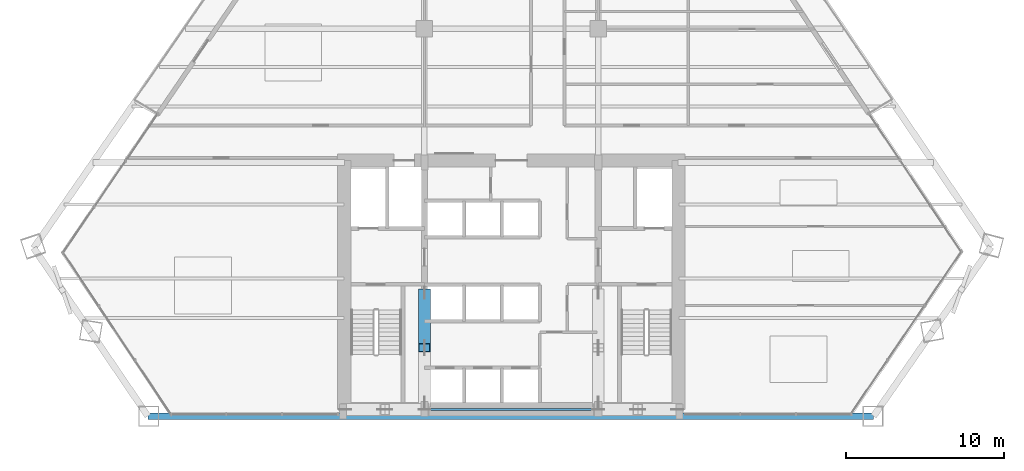
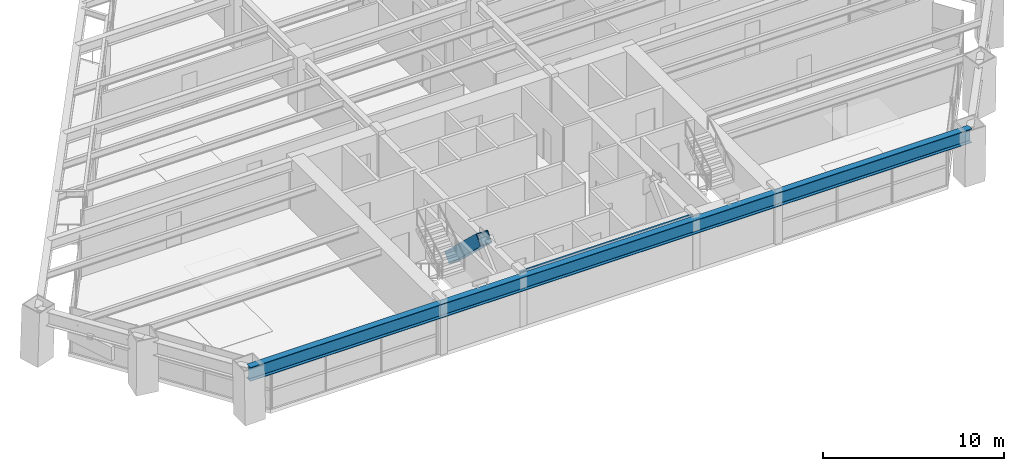
# One storey, part 3 of 14: 2 beams, 1 member.
"""IFC4 building model written with IfcOpenShell, lengths in metres."""

from ifc_helpers import new_model, si_unit, direction, frame, origin, origin_2d, place, context, subcontext, project, spatial, hollow_rectangle, i_section, extrude, source, transform, mapped, material, material_profile, profile_set, type_object, type_shapes, element, save


model = new_model("IFC4")

# Units and contexts
model_context = context("Model", 3, precision=1e-05, world=origin(), true_north=direction((0.0, 1.0)))
body_context = subcontext(model_context, "Body", "Model", "MODEL_VIEW")
ifc_project = project(units=[si_unit("LENGTHUNIT", "METRE"), si_unit("AREAUNIT", "SQUARE_METRE"), si_unit("VOLUMEUNIT", "CUBIC_METRE"), si_unit("PLANEANGLEUNIT", "RADIAN"), si_unit("MASSUNIT", "GRAM", prefix="KILO")], contexts=[model_context])

# Site, building, storey
site_placement = place(None, origin())
site = spatial("IfcSite", under=ifc_project, at=site_placement, CompositionType="ELEMENT")
building_placement = place(site_placement, origin())
building = spatial("IfcBuilding", under=site, at=building_placement, Name="Varnakhor Terracotta Tower", CompositionType="ELEMENT")
storey_placement = place(building_placement, frame((0.0, 0.0, 53.39990234375)))
storey = spatial("IfcBuildingStorey", under=building, at=storey_placement, Name="L12", CompositionType="ELEMENT", Elevation=53.39990234375)

# Beam
ifc_material_1 = material(Name="Steel S355", Category="steel")
ifc_material_profile_1 = material_profile(ifc_material_1, i_section(OverallWidth=0.1201171875, OverallDepth=0.239990234375, WebThickness=0.006103515625, FlangeThickness=0.009765625, FilletRadius=0.01806640625, at=origin_2d()), Name="IPE240")
ifc_profile_set_1 = profile_set([ifc_material_profile_1], Name="Steel S355")
beam_type_1 = type_object("IfcBeamType", Name="LNT-IPE240", PredefinedType="LINTEL", material=ifc_profile_set_1)
shared_shape_1 = source(origin(), body_context, "Body", "SweptSolid", [
    extrude(i_section(OverallWidth=0.1201171875, OverallDepth=0.239990234375, WebThickness=0.006103515625, FlangeThickness=0.009765625, FilletRadius=0.01806640625, at=origin_2d()), origin(), (0.0, 0.0, 1.0), 11.0),
])
type_shapes(beam_type_1, [shared_shape_1])
beam_1_placement = place(storey_placement, frame((-5.5, 0.419921875, 3.330078125), z_axis=(1.0, 0.0, 0.0), x_axis=(0.0, 1.0, 0.0)))
element("IfcBeam", 1, at=beam_1_placement, inside=storey, type_object=beam_type_1, Name="L12 Core South Coupling Lintel", PredefinedType="LINTEL", context=body_context, shape_type="MappedRepresentation", body=[
    mapped(shared_shape_1, transform((0.0, 0.0, 0.0), scale=1.0)),
])

# Member
ifc_material_2 = material(Name="Steel S460", Category="steel")
ifc_material_profile_2 = material_profile(ifc_material_2, hollow_rectangle(XDim=0.75, YDim=0.75, WallThickness=0.044921875, at=origin_2d()), Name="HSS750X750X45")
ifc_profile_set_2 = profile_set([ifc_material_profile_2], Name="Steel S460")
member_type = type_object("IfcMemberType", Name="MBR-MEGA-750", PredefinedType="BRACE", material=ifc_profile_set_2)
shared_shape_2 = source(origin(), body_context, "Body", "SweptSolid", [
    extrude(hollow_rectangle(XDim=0.75, YDim=0.75, WallThickness=0.044921875, at=origin_2d()), origin(), (0.0, 0.0, 1.0), 4.792236328125),
])
member_placement = place(storey_placement, frame((-5.5, 7.800048828125, 0.0), z_axis=(0.0, -0.72513424341, 0.688607529028), x_axis=(1.0, 0.0, 0.0)))
element("IfcMember", 2, at=member_placement, inside=storey, type_object=member_type, Name="L12 Core Coupled Brace CWWB", PredefinedType="BRACE", context=body_context, shape_type="MappedRepresentation", body=[
    mapped(shared_shape_2, transform((0.0, 0.0, 0.0), scale=1.0)),
])

# Beam
ifc_material_profile_3 = material_profile(ifc_material_1, i_section(OverallWidth=0.41796875, OverallDepth=0.927001953125, WebThickness=0.01904296875, FlangeThickness=0.031982421875, FilletRadius=0.01806640625, at=origin_2d()), Name="W36X231")
ifc_profile_set_3 = profile_set([ifc_material_profile_3], Name="Steel S355")
beam_type_2 = type_object("IfcBeamType", Name="BM-W36X231", PredefinedType="BEAM", material=ifc_profile_set_3)
shared_shape_3 = source(origin(), body_context, "Body", "SweptSolid", [
    extrude(i_section(OverallWidth=0.41796875, OverallDepth=0.927001953125, WebThickness=0.01904296875, FlangeThickness=0.031982421875, FilletRadius=0.01806640625, at=origin_2d()), origin(), (0.0, 0.0, 1.0), 45.91943359375),
])
beam_2_placement = place(storey_placement, frame((-22.998046875, 0.0, 2.986572265625), z_axis=(1.0, 0.0, 0.0), x_axis=(0.0, 1.0, 0.0)))
element("IfcBeam", 3, at=beam_2_placement, inside=storey, type_object=beam_type_2, Name="L12 Perimeter Spandrel 1", PredefinedType="BEAM", context=body_context, shape_type="MappedRepresentation", body=[
    mapped(shared_shape_3, transform((0.0, 0.0, 0.0), scale=1.0)),
])

save(model, "model.ifc")
